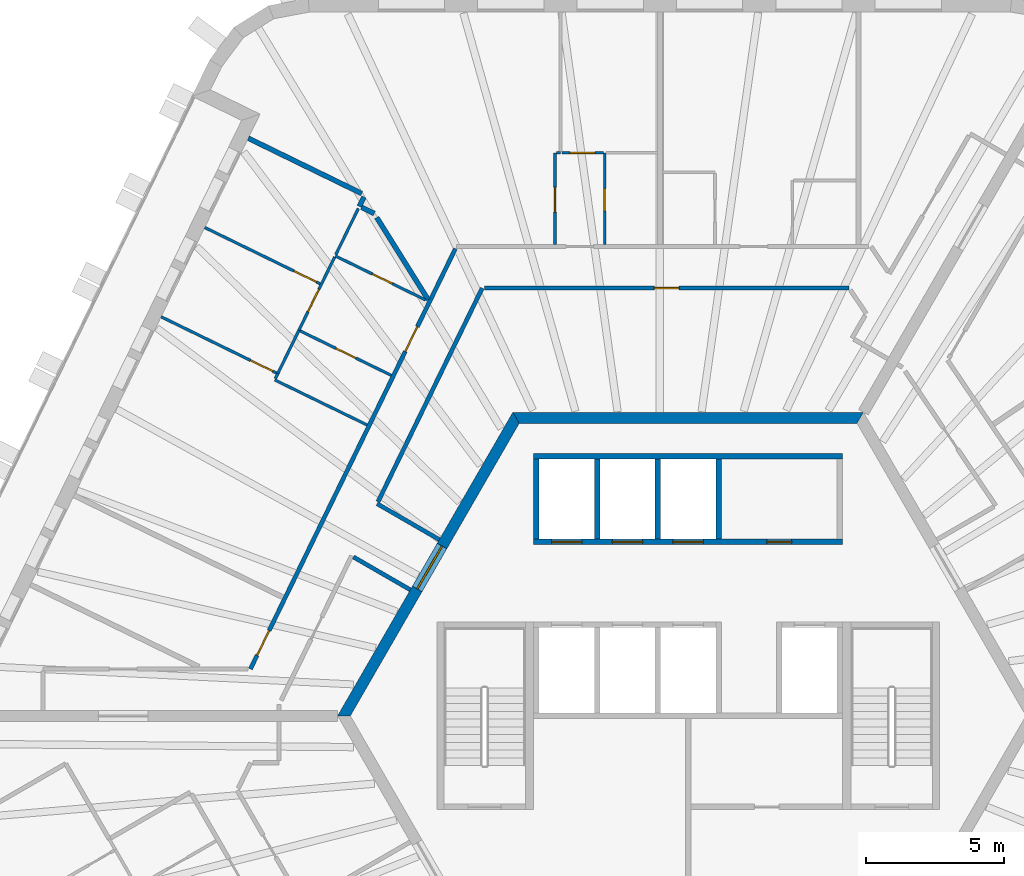
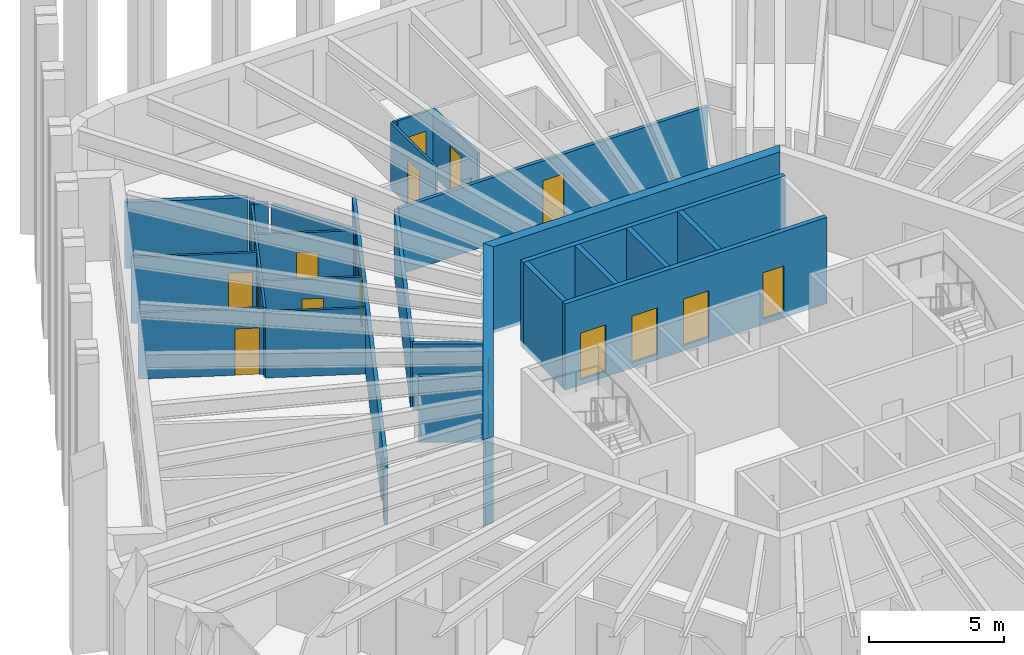
# One storey, part 8 of 12: 30 walls, 16 doors, 16 openings.
"""IFC4 building model written with IfcOpenShell, lengths in metres."""

import ifcopenshell
import ifcopenshell.guid

model = None  # the IFC model being written
_history = None  # IfcOwnerHistory: only IFC2X3 demands one
_inside = {}  # id of a spatial element -> (the spatial element, [elements in it])
_under = {}  # id of a project, library or spatial element -> (it, [spatial elements below it])
_declared = {}  # id of a project -> (the project, [libraries it declares])
_typed = {}  # id of a type object -> (the type object, [elements of that type])
_made_of = {}  # id of a material, layer set ... -> (it, [elements and type objects made of it])


def new_model(schema):
    """Start an empty IFC model of exactly this schema.

    Asked for "IFC4X3", IfcOpenShell would pick the latest addendum, in which some entities
    have other attributes; the version numbers below select the first issue.
    IFC2X3 requires an IfcOwnerHistory on every rooted entity: one is made here for all.
    """
    global model, _history
    if schema == "IFC4X3":
        model = ifcopenshell.file(schema_version=(4, 3, 0, 0))
    else:
        model = ifcopenshell.file(schema=schema)
    _inside.clear()
    _under.clear()
    _declared.clear()
    _typed.clear()
    _made_of.clear()
    _history = None
    if model.schema == "IFC2X3":
        org = make("IfcOrganization", Name="unknown")
        user = make(
            "IfcPersonAndOrganization",
            ThePerson=make("IfcPerson", FamilyName="unknown"),
            TheOrganization=org,
        )
        app = make(
            "IfcApplication",
            ApplicationDeveloper=org,
            Version="unknown",
            ApplicationFullName="unknown",
            ApplicationIdentifier="unknown",
        )
        _history = make(
            "IfcOwnerHistory",
            OwningUser=user,
            OwningApplication=app,
            ChangeAction="ADDED",
            CreationDate=0,
        )
    return model


def make(cls, **values):
    """One entity of the class cls with the attributes given. An attribute that is None is left unset."""
    return model.create_entity(
        cls, **{name: value for name, value in values.items() if value is not None}
    )


def rooted(cls, **values):
    """An entity with a GlobalId (a new one), such as an element, a storey or a relation."""
    return make(cls, GlobalId=ifcopenshell.guid.new(), OwnerHistory=_history, **values)


def si_unit(unit_type, name, prefix=None):
    """IfcSIUnit, for example si_unit("LENGTHUNIT", "METRE", prefix="MILLI")."""
    return make("IfcSIUnit", UnitType=unit_type, Prefix=prefix, Name=name)


def assignment(units):
    """IfcUnitAssignment: the units of a project."""
    return None if units is None else make("IfcUnitAssignment", Units=units)


def point(xyz):
    """IfcCartesianPoint."""
    return None if xyz is None else make("IfcCartesianPoint", Coordinates=xyz)


def direction(xyz):
    """IfcDirection."""
    return None if xyz is None else make("IfcDirection", DirectionRatios=xyz)


def frame(location, z_axis=None, x_axis=None):
    """IfcAxis2Placement3D, a coordinate frame: its origin and axes. An axis left out is left unset."""
    return make(
        "IfcAxis2Placement3D",
        Location=point(location),
        Axis=direction(z_axis),
        RefDirection=direction(x_axis),
    )


def frame_2d(location, x_axis=None):
    """IfcAxis2Placement2D, a coordinate frame in the plane: its origin and x axis."""
    return make(
        "IfcAxis2Placement2D", Location=point(location), RefDirection=direction(x_axis)
    )


def origin():
    """The frame at (0, 0, 0) with its axes left unset."""
    return frame((0.0, 0.0, 0.0))


def place(relative_to, where):
    """IfcLocalPlacement: puts the frame where relative to a parent placement (None: the world)."""
    return make(
        "IfcLocalPlacement", PlacementRelTo=relative_to, RelativePlacement=where
    )


def context(
    kind, dimensions, precision=None, world=None, true_north=None, identifier=None
):
    """IfcGeometricRepresentationContext, for example the 3D "Model" context."""
    return make(
        "IfcGeometricRepresentationContext",
        ContextIdentifier=identifier,
        ContextType=kind,
        CoordinateSpaceDimension=dimensions,
        Precision=precision,
        WorldCoordinateSystem=world,
        TrueNorth=true_north,
    )


def subcontext(parent, identifier, kind, view, scale=None):
    """IfcGeometricRepresentationSubContext, for example "Body" below "Model"."""
    return make(
        "IfcGeometricRepresentationSubContext",
        ContextIdentifier=identifier,
        ContextType=kind,
        ParentContext=parent,
        TargetScale=scale,
        TargetView=view,
    )


def project(units=None, contexts=None):
    """IfcProject with its units and contexts."""
    return rooted(
        "IfcProject",
        Name="project",
        RepresentationContexts=contexts,
        UnitsInContext=assignment(units),
    )


def spatial(cls, under=None, at=None, **own):
    """A site, building, storey or space (cls), placed at a placement, below another one or the project."""
    s = rooted(cls, ObjectPlacement=at, **own)
    if under is not None:
        _under.setdefault(under.id(), (under, []))[1].append(s)
    return s


def polyline(points):
    """IfcPolyline through the points."""
    return make("IfcPolyline", Points=[point(p) for p in points])


def profile(cls, at=None, kind="AREA", **sizes):
    """A parametric profile (cls). Its sizes go by their IFC names, for example OverallWidth=200.0."""
    return make(cls, ProfileType=kind, Position=at, **sizes)


def rectangle(**sizes):
    """IfcRectangleProfileDef."""
    return profile("IfcRectangleProfileDef", **sizes)


def outline(outer, holes=None, kind="AREA"):
    """IfcArbitraryClosedProfileDef: a profile drawn as a closed curve; with holes, ...WithVoids."""
    if holes is None:
        return make("IfcArbitraryClosedProfileDef", ProfileType=kind, OuterCurve=outer)
    return make(
        "IfcArbitraryProfileDefWithVoids",
        ProfileType=kind,
        OuterCurve=outer,
        InnerCurves=holes,
    )


def extrude(swept, where, along, depth):
    """IfcExtrudedAreaSolid: the profile swept, set in the frame where, extruded along a direction by depth."""
    return make(
        "IfcExtrudedAreaSolid",
        SweptArea=swept,
        Position=where,
        ExtrudedDirection=direction(along),
        Depth=depth,
    )


def shape(context_of_items, identifier, shape_type, items):
    """IfcShapeRepresentation: the items that make up one representation, for example the "Body"."""
    return make(
        "IfcShapeRepresentation",
        ContextOfItems=context_of_items,
        RepresentationIdentifier=identifier,
        RepresentationType=shape_type,
        Items=items,
    )


def material(Name=None, Category=None):
    """IfcMaterial."""
    return make("IfcMaterial", Name=Name, Category=Category)


def layer(
    of_material, thickness, ventilated=None, Name=None, Category=None, Priority=None
):
    """IfcMaterialLayer: one layer of a wall or slab, of a material (None: an air gap)."""
    return make(
        "IfcMaterialLayer",
        Material=of_material,
        LayerThickness=thickness,
        IsVentilated=ventilated,
        Name=Name,
        Category=Category,
        Priority=Priority,
    )


def layer_set(layers, Name=None):
    """IfcMaterialLayerSet."""
    return make("IfcMaterialLayerSet", MaterialLayers=layers, LayerSetName=Name)


def made_of(thing, what):
    """Note that an element or type object is made of a material, layer set ...; save() writes the relation."""
    if what is not None:
        _made_of.setdefault(what.id(), (what, []))[1].append(thing)
    return thing


def type_object(cls, material=None, **own):
    """A type object (cls), such as IfcWallType, which elements share."""
    return made_of(rooted(cls, **own), material)


def element(
    cls,
    number,
    at=None,
    inside=None,
    cuts=None,
    type_object=None,
    material=None,
    context=None,
    identifier="Body",
    shape_type=None,
    held_by="IfcProductDefinitionShape",
    body=None,
    shapes=None,
    **own,
):
    """One element of the class cls, such as IfcWall. Its Tag is "e" and its number.

    at: its placement. inside: the storey or other place that contains it. cuts: it is an
    opening in that element (IfcRelVoidsElement). A single representation is given by context,
    identifier, shape_type and body (its items); several are given by shapes. held_by: the class
    of the entity that holds the representations. save() writes the other relations.
    """
    e = rooted(cls, Tag="e%d" % number, ObjectPlacement=at, **own)
    if body is not None:
        shapes = [shape(context, identifier, shape_type, body)]
    if shapes is not None:
        e.Representation = make(held_by, Representations=shapes)
    if inside is not None:
        _inside.setdefault(inside.id(), (inside, []))[1].append(e)
    if cuts is not None:
        rooted(
            "IfcRelVoidsElement", RelatingBuildingElement=cuts, RelatedOpeningElement=e
        )
    if type_object is not None:
        _typed.setdefault(type_object.id(), (type_object, []))[1].append(e)
    return made_of(e, material)


def fill(opening, filler):
    """IfcRelFillsElement: the door or window that sits in an opening."""
    return rooted(
        "IfcRelFillsElement",
        RelatingOpeningElement=opening,
        RelatedBuildingElement=filler,
    )


def aggregate(whole, parts):
    """IfcRelAggregates: a whole, such as a stair, and the parts it consists of."""
    return rooted("IfcRelAggregates", RelatingObject=whole, RelatedObjects=parts)


def save(model, path):
    """Write the relations noted so far, then the file.

    IfcRelAggregates (storeys below a building ...), IfcRelContainedInSpatialStructure (elements
    in a storey), IfcRelDefinesByType, IfcRelAssociatesMaterial and IfcRelDeclares: one each for
    every whole, place, type object, material and project.
    """
    for whole, parts in _under.values():
        aggregate(whole, parts)
    for where, things in _inside.values():
        rooted(
            "IfcRelContainedInSpatialStructure",
            RelatedElements=things,
            RelatingStructure=where,
        )
    for kind, things in _typed.values():
        rooted("IfcRelDefinesByType", RelatedObjects=things, RelatingType=kind)
    for what, things in _made_of.values():
        rooted("IfcRelAssociatesMaterial", RelatedObjects=things, RelatingMaterial=what)
    for by, libraries in _declared.values():
        rooted("IfcRelDeclares", RelatingContext=by, RelatedDefinitions=libraries)
    model.write(path)


model = new_model("IFC4")

# Units and contexts
model_context = context("Model", 3, precision=1e-05, world=origin(), true_north=direction((0.0, 1.0)))
body_context = subcontext(model_context, "Body", "Model", "MODEL_VIEW")
ifc_project = project(units=[si_unit("LENGTHUNIT", "METRE"), si_unit("AREAUNIT", "SQUARE_METRE"), si_unit("VOLUMEUNIT", "CUBIC_METRE"), si_unit("PLANEANGLEUNIT", "RADIAN"), si_unit("MASSUNIT", "GRAM", prefix="KILO")], contexts=[model_context])

# Site, building, storey
site_placement = place(None, origin())
site = spatial("IfcSite", under=ifc_project, at=site_placement, CompositionType="ELEMENT")
building_placement = place(site_placement, origin())
building = spatial("IfcBuilding", under=site, at=building_placement, Name="Tarnside Tower", CompositionType="ELEMENT")
storey_placement = place(building_placement, frame((0.0, 0.0, 291.300048828125)))
storey = spatial("IfcBuildingStorey", under=building, at=storey_placement, Name="L70", CompositionType="ELEMENT", Elevation=291.300048828125)

# Wall, opening, door
ifc_material_1 = material(Name="Gypsum board partition on steel studs", Category="steel")
ifc_layer_1 = layer(ifc_material_1, 0.10009765625)
ifc_layer_set_1 = layer_set([ifc_layer_1], Name="Bathroom wall 100")
wall_type_1 = type_object("IfcWallType", Name="Bathroom wall 100", PredefinedType="PARTITIONING", material=ifc_layer_set_1)
wall_1_placement = place(storey_placement, frame((-3.02490234375, 17.074951171875, 0.0), z_axis=(0.0, 0.0, 1.0), x_axis=(0.0, 1.0, 0.0)))
wall_1 = element("IfcWall", 1, at=wall_1_placement, inside=storey, type_object=wall_type_1, Name="Bathroom wall 23097", PredefinedType="PARTITIONING", context=body_context, shape_type="SweptSolid", body=[
    extrude(rectangle(XDim=3.324951171875, YDim=0.10009765625, at=frame_2d((1.66259765625, 0.0))), origin(), (0.0, 0.0, 1.0), 2.98779296875),
])
opening_1_placement = place(wall_1_placement, frame((1.22509765625, 0.0, 0.0)))
opening_1 = element("IfcOpeningElement", 2, at=opening_1_placement, cuts=wall_1, Name="Opening D-B1", PredefinedType="OPENING", context=body_context, shape_type="SweptSolid", body=[
    extrude(rectangle(XDim=0.800048828125, YDim=2.10009765625, at=frame_2d((0.39990234375, 1.050048828125))), frame((0.0, 0.06005859375, 0.0), z_axis=(0.0, -1.0, 0.0), x_axis=(1.0, 0.0, 0.0)), (0.0, 0.0, 1.0), 0.1201171875),
])
ifc_material_2 = material(Name="Timber door leaf", Category="wood")
door_type_1 = type_object("IfcDoorType", Name="Bathroom door 800", OperationType="NOTDEFINED", PredefinedType="DOOR", material=ifc_material_2)
door_1_placement = place(opening_1_placement, origin())
door_1 = element("IfcDoor", 3, at=door_1_placement, inside=storey, type_object=door_type_1, Name="Bathroom door 23006", OperationType="SINGLE_SWING_RIGHT", OverallHeight=2.10009765625, OverallWidth=0.800048828125, PredefinedType="DOOR", context=body_context, shape_type="SweptSolid", body=[
    extrude(rectangle(XDim=0.800048828125, YDim=2.10009765625, at=frame_2d((0.39990234375, 1.050048828125))), frame((0.0, 0.02490234375, 0.0), z_axis=(0.0, -1.0, 0.0), x_axis=(1.0, 0.0, 0.0)), (0.0, 0.0, 1.0), 0.050048828125),
])
fill(opening_1, door_1)

# Walls
wall_2_placement = place(storey_placement, frame((-11.63232421875, 10.538818359375, 0.0), z_axis=(0.0, 0.0, 1.0), x_axis=(-0.898775374511, 0.438409427558, 0.0)))
element("IfcWall", 4, at=wall_2_placement, inside=storey, type_object=wall_type_1, Name="Bathroom wall 23100", PredefinedType="PARTITIONING", context=body_context, shape_type="SweptSolid", body=[
    extrude(rectangle(XDim=3.724853515625, YDim=0.10009765625, at=frame_2d((1.8623046875, 0.0))), origin(), (0.0, 0.0, 1.0), 2.98779296875),
])
wall_3_placement = place(storey_placement, frame((-14.95849609375, 12.216796875, 0.0), z_axis=(0.0, 0.0, 1.0), x_axis=(0.438565276448, 0.898699336983, 0.0)))
element("IfcWall", 5, at=wall_3_placement, inside=storey, type_object=wall_type_1, Name="Bathroom wall 23101", PredefinedType="PARTITIONING", context=body_context, shape_type="SweptSolid", body=[
    extrude(rectangle(XDim=0.203857421875, YDim=0.10009765625, at=frame_2d((0.10205078125, 0.0))), origin(), (0.0, 0.0, 1.0), 2.98779296875),
])

# Wall, opening, door
wall_4_placement = place(storey_placement, frame((-14.103515625, 13.969482421875, 0.0), z_axis=(0.0, 0.0, 1.0), x_axis=(0.898775374511, -0.438409427558, 0.0)))
wall_4 = element("IfcWall", 6, at=wall_4_placement, inside=storey, type_object=wall_type_1, Name="Bathroom wall 23104", PredefinedType="PARTITIONING", context=body_context, shape_type="SweptSolid", body=[
    extrude(rectangle(XDim=3.724853515625, YDim=0.10009765625, at=frame_2d((1.8623046875, 0.0))), origin(), (0.0, 0.0, 1.0), 2.98779296875),
])
opening_2_placement = place(wall_4_placement, frame((1.5, 0.0, 0.0)))
opening_2 = element("IfcOpeningElement", 7, at=opening_2_placement, cuts=wall_4, Name="Opening D-B1", PredefinedType="OPENING", context=body_context, shape_type="SweptSolid", body=[
    extrude(rectangle(XDim=0.800048828125, YDim=2.10009765625, at=frame_2d((0.39990234375, 1.050048828125))), frame((0.0, 0.06005859375, 0.0), z_axis=(0.0, -1.0, 0.0), x_axis=(1.0, 0.0, 0.0)), (0.0, 0.0, 1.0), 0.1201171875),
])
door_2_placement = place(opening_2_placement, origin())
door_2 = element("IfcDoor", 8, at=door_2_placement, inside=storey, type_object=door_type_1, Name="Bathroom door 23010", OperationType="SINGLE_SWING_LEFT", OverallHeight=2.10009765625, OverallWidth=0.800048828125, PredefinedType="DOOR", context=body_context, shape_type="SweptSolid", body=[
    extrude(rectangle(XDim=0.800048828125, YDim=2.10009765625, at=frame_2d((0.39990234375, 1.050048828125))), frame((0.0, 0.02490234375, 0.0), z_axis=(0.0, -1.0, 0.0), x_axis=(1.0, 0.0, 0.0)), (0.0, 0.0, 1.0), 0.050048828125),
])
fill(opening_2, door_2)

wall_5_placement = place(storey_placement, frame((-9.525634765625, 15.074462890625, 0.0), z_axis=(0.0, 0.0, 1.0), x_axis=(-0.898808514517, 0.438341481304, 0.0)))
wall_5 = element("IfcWall", 9, at=wall_5_placement, inside=storey, type_object=wall_type_1, Name="Bathroom wall 23107", PredefinedType="PARTITIONING", context=body_context, shape_type="SweptSolid", body=[
    extrude(rectangle(XDim=3.63037109375, YDim=0.10009765625, at=frame_2d((1.815185546875, 0.0))), origin(), (0.0, 0.0, 1.0), 2.98779296875),
])
opening_3_placement = place(wall_5_placement, frame((1.330078125, 0.0, 0.0)))
opening_3 = element("IfcOpeningElement", 10, at=opening_3_placement, cuts=wall_5, Name="Opening D-B1", PredefinedType="OPENING", context=body_context, shape_type="SweptSolid", body=[
    extrude(rectangle(XDim=0.800048828125, YDim=2.10009765625, at=frame_2d((0.39990234375, 1.050048828125))), frame((0.0, 0.06005859375, 0.0), z_axis=(0.0, -1.0, 0.0), x_axis=(1.0, 0.0, 0.0)), (0.0, 0.0, 1.0), 0.1201171875),
])
door_3_placement = place(opening_3_placement, origin())
door_3 = element("IfcDoor", 11, at=door_3_placement, inside=storey, type_object=door_type_1, Name="Bathroom door 23019", OperationType="SINGLE_SWING_RIGHT", OverallHeight=2.10009765625, OverallWidth=0.800048828125, PredefinedType="DOOR", context=body_context, shape_type="SweptSolid", body=[
    extrude(rectangle(XDim=0.800048828125, YDim=2.10009765625, at=frame_2d((0.39990234375, 1.050048828125))), frame((0.0, 0.02490234375, 0.0), z_axis=(0.0, -1.0, 0.0), x_axis=(1.0, 0.0, 0.0)), (0.0, 0.0, 1.0), 0.050048828125),
])
fill(opening_3, door_3)

# Walls
wall_6_placement = place(storey_placement, frame((-14.102783203125, 13.97119140625, 0.0), z_axis=(0.0, 0.0, 1.0), x_axis=(-0.43826423199, -0.89884618426, 0.0)))
element("IfcWall", 12, at=wall_6_placement, inside=storey, type_object=wall_type_1, Name="Bathroom wall 23108", PredefinedType="PARTITIONING", context=body_context, shape_type="SweptSolid", body=[
    extrude(rectangle(XDim=1.750244140625, YDim=0.10009765625, at=frame_2d((0.875, 0.0))), origin(), (0.0, 0.0, 1.0), 2.98779296875),
])
wall_7_placement = place(storey_placement, frame((-12.7666015625, 16.710693359375, 0.0), z_axis=(0.0, 0.0, 1.0), x_axis=(0.438371913736, 0.898793672234, 0.0)))
element("IfcWall", 13, at=wall_7_placement, inside=storey, type_object=wall_type_1, Name="Bathroom wall 23110", PredefinedType="PARTITIONING", context=body_context, shape_type="SweptSolid", body=[
    extrude(rectangle(XDim=1.860107421875, YDim=0.10009765625, at=frame_2d((0.93017578125, 0.0))), origin(), (0.0, 0.0, 1.0), 2.98779296875),
])

# Wall, opening, door
ifc_material_3 = material(Name="Concrete C60/75", Category="concrete")
ifc_layer_2 = layer(ifc_material_3, 0.39990234375)
ifc_layer_set_2 = layer_set([ifc_layer_2], Name="Core wall Z3 400 C60/75")
wall_type_2 = type_object("IfcWallType", Name="Core wall Z3 400 C60/75", PredefinedType="SHEAR", material=ifc_layer_set_2)
wall_8_placement = place(storey_placement, frame((-6.2353515625, 10.800048828125, -0.150146484375), z_axis=(0.0, 0.0, 1.0), x_axis=(-0.499996419489, -0.866027470984, 0.0)))
wall_8 = element("IfcWall", 14, at=wall_8_placement, inside=storey, type_object=wall_type_2, Name="L70 core wall face 2", PredefinedType="SHEAR", context=body_context, shape_type="SweptSolid", body=[
    extrude(outline(polyline([(-0.115478515625, -0.199951171875), (12.586181640625, -0.199951171875), (12.355224609375, 0.199951171875), (0.115478515625, 0.199951171875), (-0.115478515625, -0.199951171875)])), origin(), (0.0, 0.0, 1.0), 3.900146484375),
])
opening_4_placement = place(wall_8_placement, frame((5.3642578125, 0.0, 0.14990234375)))
opening_4 = element("IfcOpeningElement", 15, at=opening_4_placement, cuts=wall_8, Name="Opening CD-LOB", PredefinedType="OPENING", context=body_context, shape_type="SweptSolid", body=[
    extrude(rectangle(XDim=1.800048828125, YDim=2.39990234375, at=frame_2d((0.89990234375, 1.199951171875))), frame((0.0, 0.2099609375, 0.0), z_axis=(0.0, -1.0, 0.0), x_axis=(1.0, 0.0, 0.0)), (0.0, 0.0, 1.0), 0.419921875),
])
ifc_material_4 = material(Name="Steel fire door", Category="steel")
door_type_2 = type_object("IfcDoorType", Name="Lobby double door FD30S 1800x2400", OperationType="NOTDEFINED", PredefinedType="DOOR", material=ifc_material_4)
door_4_placement = place(opening_4_placement, origin())
door_4 = element("IfcDoor", 16, at=door_4_placement, inside=storey, type_object=door_type_2, Name="L70 core door P1", OperationType="DOUBLE_DOOR_SINGLE_SWING", OverallHeight=2.39990234375, OverallWidth=1.800048828125, PredefinedType="DOOR", context=body_context, shape_type="SweptSolid", body=[
    extrude(rectangle(XDim=1.800048828125, YDim=2.39990234375, at=frame_2d((0.89990234375, 1.199951171875))), frame((0.0, 0.02490234375, 0.0), z_axis=(0.0, -1.0, 0.0), x_axis=(1.0, 0.0, 0.0)), (0.0, 0.0, 1.0), 0.050048828125),
])
fill(opening_4, door_4)

# Wall
wall_9_placement = place(storey_placement, frame((6.2353515625, 10.800048828125, -0.150146484375), z_axis=(0.0, 0.0, 1.0), x_axis=(-1.0, 0.0, 0.0)))
element("IfcWall", 17, at=wall_9_placement, inside=storey, type_object=wall_type_2, Name="L70 core wall face 1", PredefinedType="SHEAR", context=body_context, shape_type="SweptSolid", body=[
    extrude(outline(polyline([(-0.115478515625, -0.199951171875), (12.586181640625, -0.199951171875), (12.355224609375, 0.199951171875), (0.115478515625, 0.199951171875), (-0.115478515625, -0.199951171875)])), origin(), (0.0, 0.0, 1.0), 3.900146484375),
])

# Wall, openings, doors
ifc_layer_3 = layer(ifc_material_1, 0.14990234375)
ifc_layer_set_3 = layer_set([ifc_layer_3], Name="Corridor wall 150 EI 60")
wall_type_3 = type_object("IfcWallType", Name="Corridor wall 150 EI 60", PredefinedType="PARTITIONING", material=ifc_layer_set_3)
wall_10_placement = place(storey_placement, frame((-8.43408203125, 16.925048828125, 0.0), z_axis=(0.0, 0.0, 1.0), x_axis=(-0.438371383278, -0.898793930956, 0.0)))
wall_10 = element("IfcWall", 18, at=wall_10_placement, inside=storey, type_object=wall_type_3, Name="Corridor wall 23009", PredefinedType="PARTITIONING", context=body_context, shape_type="SweptSolid", body=[
    extrude(rectangle(XDim=16.939453125, YDim=0.14990234375, at=frame_2d((8.4697265625, 0.0))), origin(), (0.0, 0.0, 1.0), 2.98779296875),
])
opening_5_placement = place(wall_10_placement, frame((3.141845703125, 0.0, 0.0)))
opening_5 = element("IfcOpeningElement", 19, at=opening_5_placement, cuts=wall_10, Name="Opening D-E1", PredefinedType="OPENING", context=body_context, shape_type="SweptSolid", body=[
    extrude(rectangle(XDim=1.0, YDim=2.10009765625, at=frame_2d((0.5, 1.050048828125))), frame((0.0, 0.0849609375, 0.0), z_axis=(0.0, -1.0, 0.0), x_axis=(1.0, 0.0, 0.0)), (0.0, 0.0, 1.0), 0.169921875),
])
opening_6_placement = place(wall_10_placement, frame((15.39013671875, 0.0, 0.0)))
opening_6 = element("IfcOpeningElement", 20, at=opening_6_placement, cuts=wall_10, Name="Opening D-E1", PredefinedType="OPENING", context=body_context, shape_type="SweptSolid", body=[
    extrude(rectangle(XDim=1.0, YDim=2.10009765625, at=frame_2d((0.5, 1.050048828125))), frame((0.0, 0.0849609375, 0.0), z_axis=(0.0, -1.0, 0.0), x_axis=(1.0, 0.0, 0.0)), (0.0, 0.0, 1.0), 0.169921875),
])
door_type_3 = type_object("IfcDoorType", Name="Unit entrance door 1000 FD30S", OperationType="NOTDEFINED", PredefinedType="DOOR", material=ifc_material_2)
door_5_placement = place(opening_5_placement, origin())
door_5 = element("IfcDoor", 21, at=door_5_placement, inside=storey, type_object=door_type_3, Name="Unit door 23009", OperationType="SINGLE_SWING_LEFT", OverallHeight=2.10009765625, OverallWidth=1.0, PredefinedType="DOOR", context=body_context, shape_type="SweptSolid", body=[
    extrude(rectangle(XDim=1.0, YDim=2.10009765625, at=frame_2d((0.5, 1.050048828125))), frame((0.0, 0.02490234375, 0.0), z_axis=(0.0, -1.0, 0.0), x_axis=(1.0, 0.0, 0.0)), (0.0, 0.0, 1.0), 0.050048828125),
])
fill(opening_5, door_5)
door_6_placement = place(opening_6_placement, origin())
door_6 = element("IfcDoor", 22, at=door_6_placement, inside=storey, type_object=door_type_3, Name="Unit door 23020", OperationType="SINGLE_SWING_LEFT", OverallHeight=2.10009765625, OverallWidth=1.0, PredefinedType="DOOR", context=body_context, shape_type="SweptSolid", body=[
    extrude(rectangle(XDim=1.0, YDim=2.10009765625, at=frame_2d((0.5, 1.050048828125))), frame((0.0, 0.02490234375, 0.0), z_axis=(0.0, -1.0, 0.0), x_axis=(1.0, 0.0, 0.0)), (0.0, 0.0, 1.0), 0.050048828125),
])
fill(opening_6, door_6)

# Walls
wall_11_placement = place(storey_placement, frame((-9.015625, 6.38427734375, 0.0), z_axis=(0.0, 0.0, 1.0), x_axis=(-0.866031051173, 0.499990218309, 0.0)))
element("IfcWall", 23, at=wall_11_placement, inside=storey, type_object=wall_type_3, Name="Corridor wall 23019", PredefinedType="PARTITIONING", context=body_context, shape_type="SweptSolid", body=[
    extrude(rectangle(XDim=2.6044921875, YDim=0.14990234375, at=frame_2d((1.30224609375, 0.0))), origin(), (0.0, 0.0, 1.0), 2.98779296875),
])
wall_12_placement = place(storey_placement, frame((-11.23828125, 7.754150390625, 0.0), z_axis=(0.0, 0.0, 1.0), x_axis=(0.438387352899, 0.89878614187, 0.0)))
element("IfcWall", 24, at=wall_12_placement, inside=storey, type_object=wall_type_3, Name="Corridor wall 23020", PredefinedType="PARTITIONING", context=body_context, shape_type="SweptSolid", body=[
    extrude(rectangle(XDim=8.6181640625, YDim=0.14990234375, at=frame_2d((4.30908203125, 0.0))), origin(), (0.0, 0.0, 1.0), 2.98779296875),
])

# Wall, opening, door
wall_13_placement = place(storey_placement, frame((-7.376708984375, 15.5, 0.0), z_axis=(0.0, 0.0, 1.0), x_axis=(1.0, 0.0, 0.0)))
wall_13 = element("IfcWall", 25, at=wall_13_placement, inside=storey, type_object=wall_type_3, Name="Corridor wall 23021", PredefinedType="PARTITIONING", context=body_context, shape_type="SweptSolid", body=[
    extrude(rectangle(XDim=13.205810546875, YDim=0.14990234375, at=frame_2d((6.60302734375, 0.0))), origin(), (0.0, 0.0, 1.0), 2.98779296875),
])
opening_7_placement = place(wall_13_placement, frame((6.15283203125, 0.0, 0.0)))
opening_7 = element("IfcOpeningElement", 26, at=opening_7_placement, cuts=wall_13, Name="Opening D-S1", PredefinedType="OPENING", context=body_context, shape_type="SweptSolid", body=[
    extrude(rectangle(XDim=0.89990234375, YDim=2.10009765625, at=frame_2d((0.449951171875, 1.050048828125))), frame((0.0, 0.0849609375, 0.0), z_axis=(0.0, -1.0, 0.0), x_axis=(1.0, 0.0, 0.0)), (0.0, 0.0, 1.0), 0.169921875),
])
door_type_4 = type_object("IfcDoorType", Name="Service room door 900 FD30S", OperationType="NOTDEFINED", PredefinedType="DOOR", material=ifc_material_2)
door_7_placement = place(opening_7_placement, origin())
door_7 = element("IfcDoor", 27, at=door_7_placement, inside=storey, type_object=door_type_4, Name="Service door 23058", OperationType="SINGLE_SWING_LEFT", OverallHeight=2.10009765625, OverallWidth=0.89990234375, PredefinedType="DOOR", context=body_context, shape_type="SweptSolid", body=[
    extrude(rectangle(XDim=0.89990234375, YDim=2.10009765625, at=frame_2d((0.449951171875, 1.050048828125))), frame((0.0, 0.02490234375, 0.0), z_axis=(0.0, -1.0, 0.0), x_axis=(1.0, 0.0, 0.0)), (0.0, 0.0, 1.0), 0.050048828125),
])
fill(opening_7, door_7)

# Walls
wall_14_placement = place(storey_placement, frame((-12.12890625, 5.7568359375, 0.0), z_axis=(0.0, 0.0, 1.0), x_axis=(0.866033707122, -0.499985617921, 0.0)))
element("IfcWall", 28, at=wall_14_placement, inside=storey, type_object=wall_type_3, Name="Corridor wall 23027", PredefinedType="PARTITIONING", context=body_context, shape_type="SweptSolid", body=[
    extrude(rectangle(XDim=2.38232421875, YDim=0.14990234375, at=frame_2d((1.191162109375, 0.0))), origin(), (0.0, 0.0, 1.0), 2.98779296875),
])
ifc_layer_4 = layer(ifc_material_1, 0.179931640625)
ifc_layer_set_4 = layer_set([ifc_layer_4], Name="Demising wall 180 EI 60")
wall_type_4 = type_object("IfcWallType", Name="Demising wall 180 EI 60", PredefinedType="PARTITIONING", material=ifc_layer_set_4)
wall_15_placement = place(storey_placement, frame((-15.93798828125, 20.9296875, 0.0), z_axis=(0.0, 0.0, 1.0), x_axis=(0.898800744024, -0.438357414153, 0.0)))
element("IfcWall", 29, at=wall_15_placement, inside=storey, type_object=wall_type_4, Name="Demising wall 23093", PredefinedType="PARTITIONING", context=body_context, shape_type="SweptSolid", body=[
    extrude(rectangle(XDim=4.576416015625, YDim=0.179931640625, at=frame_2d((2.2880859375, 0.0))), origin(), (0.0, 0.0, 1.0), 2.98779296875),
])
wall_16_placement = place(storey_placement, frame((-11.74755859375, 18.800048828125, 0.0), z_axis=(0.0, 0.0, 1.0), x_axis=(-0.438410910916, -0.89877465095, 0.0)))
element("IfcWall", 30, at=wall_16_placement, inside=storey, type_object=wall_type_4, Name="Demising wall 23094", PredefinedType="PARTITIONING", context=body_context, shape_type="SweptSolid", body=[
    extrude(rectangle(XDim=0.378173828125, YDim=0.179931640625, at=frame_2d((0.18896484375, 0.0))), origin(), (0.0, 0.0, 1.0), 2.98779296875),
])
wall_17_placement = place(storey_placement, frame((-11.830810546875, 18.423828125, 0.0), z_axis=(0.0, 0.0, 1.0), x_axis=(0.898888206261, -0.438178037612, 0.0)))
element("IfcWall", 31, at=wall_17_placement, inside=storey, type_object=wall_type_4, Name="Demising wall 23095", PredefinedType="PARTITIONING", context=body_context, shape_type="SweptSolid", body=[
    extrude(rectangle(XDim=0.50927734375, YDim=0.179931640625, at=frame_2d((0.254638671875, 0.0))), origin(), (0.0, 0.0, 1.0), 2.98779296875),
])
wall_18_placement = place(storey_placement, frame((-11.282958984375, 18.056640625, 0.0), z_axis=(0.0, 0.0, 1.0), x_axis=(0.529892826056, -0.84806461599, 0.0)))
element("IfcWall", 32, at=wall_18_placement, inside=storey, type_object=wall_type_4, Name="Demising wall 23096", PredefinedType="PARTITIONING", context=body_context, shape_type="SweptSolid", body=[
    extrude(rectangle(XDim=3.515869140625, YDim=0.179931640625, at=frame_2d((1.7578125, 0.0))), origin(), (0.0, 0.0, 1.0), 2.98779296875),
])

# Wall, openings, doors
ifc_material_5 = material(Name="Concrete C40/50", Category="concrete")
ifc_layer_5 = layer(ifc_material_5, 0.199951171875)
ifc_layer_set_5 = layer_set([ifc_layer_5], Name="Lift shaft wall 200 C40/50")
wall_type_5 = type_object("IfcWallType", Name="Lift shaft wall 200 C40/50", PredefinedType="SHEAR", material=ifc_layer_set_5)
wall_19_placement = place(storey_placement, frame((-5.60009765625, 6.300048828125, -0.25), z_axis=(0.0, 0.0, 1.0), x_axis=(1.0, 0.0, 0.0)))
wall_19 = element("IfcWall", 33, at=wall_19_placement, inside=storey, type_object=wall_type_5, Name="L70 lift shaft front wall R1", PredefinedType="SHEAR", context=body_context, shape_type="SweptSolid", body=[
    extrude(rectangle(XDim=11.2001953125, YDim=0.199951171875, at=frame_2d((5.60009765625, 0.0))), origin(), (0.0, 0.0, 1.0), 3.89990234375),
])
opening_8_placement = place(wall_19_placement, frame((8.449951171875, 0.0, 0.25)))
opening_8 = element("IfcOpeningElement", 34, at=opening_8_placement, cuts=wall_19, Name="Opening CD-room", PredefinedType="OPENING", context=body_context, shape_type="SweptSolid", body=[
    extrude(rectangle(XDim=0.89990234375, YDim=2.10009765625, at=frame_2d((0.449951171875, 1.050048828125))), frame((0.0, 0.10986328125, 0.0), z_axis=(0.0, -1.0, 0.0), x_axis=(1.0, 0.0, 0.0)), (0.0, 0.0, 1.0), 0.219970703125),
])
opening_9_placement = place(wall_19_placement, frame((0.64990234375, 0.0, 0.25)))
opening_9 = element("IfcOpeningElement", 35, at=opening_9_placement, cuts=wall_19, Name="Opening LD", PredefinedType="OPENING", context=body_context, shape_type="SweptSolid", body=[
    extrude(rectangle(XDim=1.10009765625, YDim=2.10009765625, at=frame_2d((0.550048828125, 1.050048828125))), frame((0.0, 0.10986328125, 0.0), z_axis=(0.0, -1.0, 0.0), x_axis=(1.0, 0.0, 0.0)), (0.0, 0.0, 1.0), 0.219970703125),
])
opening_10_placement = place(wall_19_placement, frame((2.85009765625, 0.0, 0.25)))
opening_10 = element("IfcOpeningElement", 36, at=opening_10_placement, cuts=wall_19, Name="Opening LD", PredefinedType="OPENING", context=body_context, shape_type="SweptSolid", body=[
    extrude(rectangle(XDim=1.10009765625, YDim=2.10009765625, at=frame_2d((0.550048828125, 1.050048828125))), frame((0.0, 0.10986328125, 0.0), z_axis=(0.0, -1.0, 0.0), x_axis=(1.0, 0.0, 0.0)), (0.0, 0.0, 1.0), 0.219970703125),
])
opening_11_placement = place(wall_19_placement, frame((5.050048828125, 0.0, 0.25)))
opening_11 = element("IfcOpeningElement", 37, at=opening_11_placement, cuts=wall_19, Name="Opening LD", PredefinedType="OPENING", context=body_context, shape_type="SweptSolid", body=[
    extrude(rectangle(XDim=1.10009765625, YDim=2.10009765625, at=frame_2d((0.550048828125, 1.050048828125))), frame((0.0, 0.10986328125, 0.0), z_axis=(0.0, -1.0, 0.0), x_axis=(1.0, 0.0, 0.0)), (0.0, 0.0, 1.0), 0.219970703125),
])
ifc_material_6 = material(Name="Stainless steel", Category="steel")
door_type_5 = type_object("IfcDoorType", Name="Lift landing door 1100x2100", OperationType="NOTDEFINED", PredefinedType="DOOR", material=ifc_material_6)
door_8_placement = place(opening_9_placement, origin())
door_8 = element("IfcDoor", 38, at=door_8_placement, inside=storey, type_object=door_type_5, Name="High-rise lift 1 landing door L70", OperationType="SLIDING_TO_LEFT", OverallHeight=2.10009765625, OverallWidth=1.10009765625, PredefinedType="DOOR", context=body_context, shape_type="SweptSolid", body=[
    extrude(rectangle(XDim=1.10009765625, YDim=2.10009765625, at=frame_2d((0.550048828125, 1.050048828125))), frame((0.0, 0.02490234375, 0.0), z_axis=(0.0, -1.0, 0.0), x_axis=(1.0, 0.0, 0.0)), (0.0, 0.0, 1.0), 0.050048828125),
])
fill(opening_9, door_8)
door_9_placement = place(opening_10_placement, origin())
door_9 = element("IfcDoor", 39, at=door_9_placement, inside=storey, type_object=door_type_5, Name="High-rise lift 2 landing door L70", OperationType="SLIDING_TO_LEFT", OverallHeight=2.10009765625, OverallWidth=1.10009765625, PredefinedType="DOOR", context=body_context, shape_type="SweptSolid", body=[
    extrude(rectangle(XDim=1.10009765625, YDim=2.10009765625, at=frame_2d((0.550048828125, 1.050048828125))), frame((0.0, 0.02490234375, 0.0), z_axis=(0.0, -1.0, 0.0), x_axis=(1.0, 0.0, 0.0)), (0.0, 0.0, 1.0), 0.050048828125),
])
fill(opening_10, door_9)
door_10_placement = place(opening_11_placement, origin())
door_10 = element("IfcDoor", 40, at=door_10_placement, inside=storey, type_object=door_type_5, Name="High-rise lift 3 landing door L70", OperationType="SLIDING_TO_LEFT", OverallHeight=2.10009765625, OverallWidth=1.10009765625, PredefinedType="DOOR", context=body_context, shape_type="SweptSolid", body=[
    extrude(rectangle(XDim=1.10009765625, YDim=2.10009765625, at=frame_2d((0.550048828125, 1.050048828125))), frame((0.0, 0.02490234375, 0.0), z_axis=(0.0, -1.0, 0.0), x_axis=(1.0, 0.0, 0.0)), (0.0, 0.0, 1.0), 0.050048828125),
])
fill(opening_11, door_10)
door_type_6 = type_object("IfcDoorType", Name="Room door FD60 900x2100", OperationType="NOTDEFINED", PredefinedType="DOOR", material=ifc_material_4)
door_11_placement = place(opening_8_placement, origin())
door_11 = element("IfcDoor", 41, at=door_11_placement, inside=storey, type_object=door_type_6, Name="L70 core room door FC1", OperationType="SINGLE_SWING_LEFT", OverallHeight=2.10009765625, OverallWidth=0.89990234375, PredefinedType="DOOR", context=body_context, shape_type="SweptSolid", body=[
    extrude(rectangle(XDim=0.89990234375, YDim=2.10009765625, at=frame_2d((0.449951171875, 1.050048828125))), frame((0.0, 0.02490234375, 0.0), z_axis=(0.0, -1.0, 0.0), x_axis=(1.0, 0.0, 0.0)), (0.0, 0.0, 1.0), 0.050048828125),
])
fill(opening_8, door_11)

# Walls
wall_20_placement = place(storey_placement, frame((-5.60009765625, 9.39990234375, -0.25), z_axis=(0.0, 0.0, 1.0), x_axis=(1.0, 0.0, 0.0)))
element("IfcWall", 42, at=wall_20_placement, inside=storey, type_object=wall_type_5, Name="L70 lift shaft back wall R1", PredefinedType="SHEAR", context=body_context, shape_type="SweptSolid", body=[
    extrude(rectangle(XDim=11.2001953125, YDim=0.199951171875, at=frame_2d((5.60009765625, 0.0))), origin(), (0.0, 0.0, 1.0), 3.89990234375),
])
for number, where, z_axis, x_axis, name in (
    (43, (-5.5, 6.39990234375, -0.25), (0.0, 0.0, 1.0), (0.0, 1.0, 0.0), "L70 lift shaft partition R11"),
    (44, (-3.300048828125, 6.39990234375, -0.25), (0.0, 0.0, 1.0), (0.0, 1.0, 0.0), "L70 lift shaft partition R12"),
    (45, (-1.10009765625, 6.39990234375, -0.25), (0.0, 0.0, 1.0), (0.0, 1.0, 0.0), "L70 lift shaft partition R13"),
    (46, (1.10009765625, 6.39990234375, -0.25), (0.0, 0.0, 1.0), (0.0, 1.0, 0.0), "L70 lift shaft partition R14"),
):
    element("IfcWall", number, at=place(storey_placement, frame(where, z_axis=z_axis, x_axis=x_axis)), inside=storey, type_object=wall_type_5, Name=name, PredefinedType="SHEAR", context=body_context, shape_type="SweptSolid", body=[
        extrude(rectangle(XDim=2.900146484375, YDim=0.199951171875, at=frame_2d((1.4501953125, 0.0))), origin(), (0.0, 0.0, 1.0), 3.89990234375),
    ])

# Wall, opening, door
ifc_layer_6 = layer(ifc_material_1, 0.10009765625)
ifc_layer_set_6 = layer_set([ifc_layer_6], Name="Partition 100")
wall_type_6 = type_object("IfcWallType", Name="Partition 100", PredefinedType="PARTITIONING", material=ifc_layer_set_6)
wall_21_placement = place(storey_placement, frame((-4.82470703125, 17.074951171875, 0.0), z_axis=(0.0, 0.0, 1.0), x_axis=(0.0, 1.0, 0.0)))
wall_21 = element("IfcWall", 47, at=wall_21_placement, inside=storey, type_object=wall_type_6, Name="Partition wall 23090", PredefinedType="PARTITIONING", context=body_context, shape_type="SweptSolid", body=[
    extrude(rectangle(XDim=3.324951171875, YDim=0.10009765625, at=frame_2d((1.66259765625, 0.0))), origin(), (0.0, 0.0, 1.0), 2.98779296875),
])
opening_12_placement = place(wall_21_placement, frame((1.175048828125, 0.0, 0.0)))
opening_12 = element("IfcOpeningElement", 48, at=opening_12_placement, cuts=wall_21, Name="Opening D-I1", PredefinedType="OPENING", context=body_context, shape_type="SweptSolid", body=[
    extrude(rectangle(XDim=0.89990234375, YDim=2.10009765625, at=frame_2d((0.449951171875, 1.050048828125))), frame((0.0, 0.06005859375, 0.0), z_axis=(0.0, -1.0, 0.0), x_axis=(1.0, 0.0, 0.0)), (0.0, 0.0, 1.0), 0.1201171875),
])
door_type_7 = type_object("IfcDoorType", Name="Internal door 900", OperationType="NOTDEFINED", PredefinedType="DOOR", material=ifc_material_2)
door_12_placement = place(opening_12_placement, origin())
door_12 = element("IfcDoor", 49, at=door_12_placement, inside=storey, type_object=door_type_7, Name="Internal door 23007", OperationType="SINGLE_SWING_RIGHT", OverallHeight=2.10009765625, OverallWidth=0.89990234375, PredefinedType="DOOR", context=body_context, shape_type="SweptSolid", body=[
    extrude(rectangle(XDim=0.89990234375, YDim=2.10009765625, at=frame_2d((0.449951171875, 1.050048828125))), frame((0.0, 0.02490234375, 0.0), z_axis=(0.0, -1.0, 0.0), x_axis=(1.0, 0.0, 0.0)), (0.0, 0.0, 1.0), 0.050048828125),
])
fill(opening_12, door_12)

# Wall
wall_22_placement = place(storey_placement, frame((-4.77490234375, 20.39990234375, 0.0), z_axis=(0.0, 0.0, 1.0), x_axis=(1.0, 0.0, 0.0)))
element("IfcWall", 50, at=wall_22_placement, inside=storey, type_object=wall_type_6, Name="Partition wall 23091", PredefinedType="PARTITIONING", context=body_context, shape_type="SweptSolid", body=[
    extrude(rectangle(XDim=0.152099609375, YDim=0.10009765625, at=frame_2d((0.076171875, 0.0))), origin(), (0.0, 0.0, 1.0), 2.98779296875),
])

# Wall, opening, door
wall_23_placement = place(storey_placement, frame((-3.07275390625, 20.39990234375, 0.0), z_axis=(0.0, 0.0, 1.0), x_axis=(-1.0, 0.0, 0.0)))
wall_23 = element("IfcWall", 51, at=wall_23_placement, inside=storey, type_object=wall_type_6, Name="Partition wall 23098", PredefinedType="PARTITIONING", context=body_context, shape_type="SweptSolid", body=[
    extrude(rectangle(XDim=1.501953125, YDim=0.10009765625, at=frame_2d((0.7509765625, 0.0))), origin(), (0.0, 0.0, 1.0), 2.98779296875),
])
opening_13_placement = place(wall_23_placement, frame((0.302001953125, 0.0, 0.0)))
opening_13 = element("IfcOpeningElement", 52, at=opening_13_placement, cuts=wall_23, Name="Opening D-I1", PredefinedType="OPENING", context=body_context, shape_type="SweptSolid", body=[
    extrude(rectangle(XDim=0.89990234375, YDim=2.10009765625, at=frame_2d((0.449951171875, 1.050048828125))), frame((0.0, 0.06005859375, 0.0), z_axis=(0.0, -1.0, 0.0), x_axis=(1.0, 0.0, 0.0)), (0.0, 0.0, 1.0), 0.1201171875),
])
door_13_placement = place(opening_13_placement, origin())
door_13 = element("IfcDoor", 53, at=door_13_placement, inside=storey, type_object=door_type_7, Name="Internal door 23008", OperationType="SINGLE_SWING_RIGHT", OverallHeight=2.10009765625, OverallWidth=0.89990234375, PredefinedType="DOOR", context=body_context, shape_type="SweptSolid", body=[
    extrude(rectangle(XDim=0.89990234375, YDim=2.10009765625, at=frame_2d((0.449951171875, 1.050048828125))), frame((0.0, 0.02490234375, 0.0), z_axis=(0.0, -1.0, 0.0), x_axis=(1.0, 0.0, 0.0)), (0.0, 0.0, 1.0), 0.050048828125),
])
fill(opening_13, door_13)

wall_24_placement = place(storey_placement, frame((-14.9150390625, 12.419921875, 0.0), z_axis=(0.0, 0.0, 1.0), x_axis=(-0.898773491676, 0.438413287504, 0.0)))
wall_24 = element("IfcWall", 54, at=wall_24_placement, inside=storey, type_object=wall_type_6, Name="Partition wall 23102", PredefinedType="PARTITIONING", context=body_context, shape_type="SweptSolid", body=[
    extrude(rectangle(XDim=4.64990234375, YDim=0.10009765625, at=frame_2d((2.324951171875, 0.0))), origin(), (0.0, 0.0, 1.0), 2.98779296875),
])
opening_14_placement = place(wall_24_placement, frame((0.14990234375, 0.0, 0.0)))
opening_14 = element("IfcOpeningElement", 55, at=opening_14_placement, cuts=wall_24, Name="Opening D-I1", PredefinedType="OPENING", context=body_context, shape_type="SweptSolid", body=[
    extrude(rectangle(XDim=0.89990234375, YDim=2.10009765625, at=frame_2d((0.449951171875, 1.050048828125))), frame((0.0, 0.06005859375, 0.0), z_axis=(0.0, -1.0, 0.0), x_axis=(1.0, 0.0, 0.0)), (0.0, 0.0, 1.0), 0.1201171875),
])
door_14_placement = place(opening_14_placement, origin())
door_14 = element("IfcDoor", 56, at=door_14_placement, inside=storey, type_object=door_type_7, Name="Internal door 23018", OperationType="SINGLE_SWING_RIGHT", OverallHeight=2.10009765625, OverallWidth=0.89990234375, PredefinedType="DOOR", context=body_context, shape_type="SweptSolid", body=[
    extrude(rectangle(XDim=0.89990234375, YDim=2.10009765625, at=frame_2d((0.449951171875, 1.050048828125))), frame((0.0, 0.02490234375, 0.0), z_axis=(0.0, -1.0, 0.0), x_axis=(1.0, 0.0, 0.0)), (0.0, 0.0, 1.0), 0.050048828125),
])
fill(opening_14, door_14)

wall_25_placement = place(storey_placement, frame((-12.8095703125, 16.62255859375, 0.0), z_axis=(0.0, 0.0, 1.0), x_axis=(-0.438365010977, -0.898797038909, 0.0)))
wall_25 = element("IfcWall", 57, at=wall_25_placement, inside=storey, type_object=wall_type_6, Name="Partition wall 23105", PredefinedType="PARTITIONING", context=body_context, shape_type="SweptSolid", body=[
    extrude(rectangle(XDim=2.9541015625, YDim=0.10009765625, at=frame_2d((1.47705078125, 0.0))), origin(), (0.0, 0.0, 1.0), 2.98779296875),
])
opening_15_placement = place(wall_25_placement, frame((1.30029296875, 0.0, 0.0)))
opening_15 = element("IfcOpeningElement", 58, at=opening_15_placement, cuts=wall_25, Name="Opening D-I1", PredefinedType="OPENING", context=body_context, shape_type="SweptSolid", body=[
    extrude(rectangle(XDim=0.89990234375, YDim=2.10009765625, at=frame_2d((0.449951171875, 1.050048828125))), frame((0.0, 0.06005859375, 0.0), z_axis=(0.0, -1.0, 0.0), x_axis=(1.0, 0.0, 0.0)), (0.0, 0.0, 1.0), 0.1201171875),
])
door_15_placement = place(opening_15_placement, origin())
door_15 = element("IfcDoor", 59, at=door_15_placement, inside=storey, type_object=door_type_7, Name="Internal door 23013", OperationType="SINGLE_SWING_RIGHT", OverallHeight=2.10009765625, OverallWidth=0.89990234375, PredefinedType="DOOR", context=body_context, shape_type="SweptSolid", body=[
    extrude(rectangle(XDim=0.89990234375, YDim=2.10009765625, at=frame_2d((0.449951171875, 1.050048828125))), frame((0.0, 0.02490234375, 0.0), z_axis=(0.0, -1.0, 0.0), x_axis=(1.0, 0.0, 0.0)), (0.0, 0.0, 1.0), 0.050048828125),
])
fill(opening_15, door_15)

wall_26_placement = place(storey_placement, frame((-17.51611328125, 17.694091796875, 0.0), z_axis=(0.0, 0.0, 1.0), x_axis=(0.898783582669, -0.43839259976, 0.0)))
wall_26 = element("IfcWall", 60, at=wall_26_placement, inside=storey, type_object=wall_type_6, Name="Partition wall 23109", PredefinedType="PARTITIONING", context=body_context, shape_type="SweptSolid", body=[
    extrude(rectangle(XDim=4.650146484375, YDim=0.10009765625, at=frame_2d((2.3251953125, 0.0))), origin(), (0.0, 0.0, 1.0), 2.98779296875),
])
opening_16_placement = place(wall_26_placement, frame((3.60009765625, 0.0, 0.0)))
opening_16 = element("IfcOpeningElement", 61, at=opening_16_placement, cuts=wall_26, Name="Opening D-I1", PredefinedType="OPENING", context=body_context, shape_type="SweptSolid", body=[
    extrude(rectangle(XDim=0.89990234375, YDim=2.10009765625, at=frame_2d((0.449951171875, 1.050048828125))), frame((0.0, 0.06005859375, 0.0), z_axis=(0.0, -1.0, 0.0), x_axis=(1.0, 0.0, 0.0)), (0.0, 0.0, 1.0), 0.1201171875),
])
door_16_placement = place(opening_16_placement, origin())
door_16 = element("IfcDoor", 62, at=door_16_placement, inside=storey, type_object=door_type_7, Name="Internal door 23016", OperationType="SINGLE_SWING_RIGHT", OverallHeight=2.10009765625, OverallWidth=0.89990234375, PredefinedType="DOOR", context=body_context, shape_type="SweptSolid", body=[
    extrude(rectangle(XDim=0.89990234375, YDim=2.10009765625, at=frame_2d((0.449951171875, 1.050048828125))), frame((0.0, 0.02490234375, 0.0), z_axis=(0.0, -1.0, 0.0), x_axis=(1.0, 0.0, 0.0)), (0.0, 0.0, 1.0), 0.050048828125),
])
fill(opening_16, door_16)

save(model, "model.ifc")
